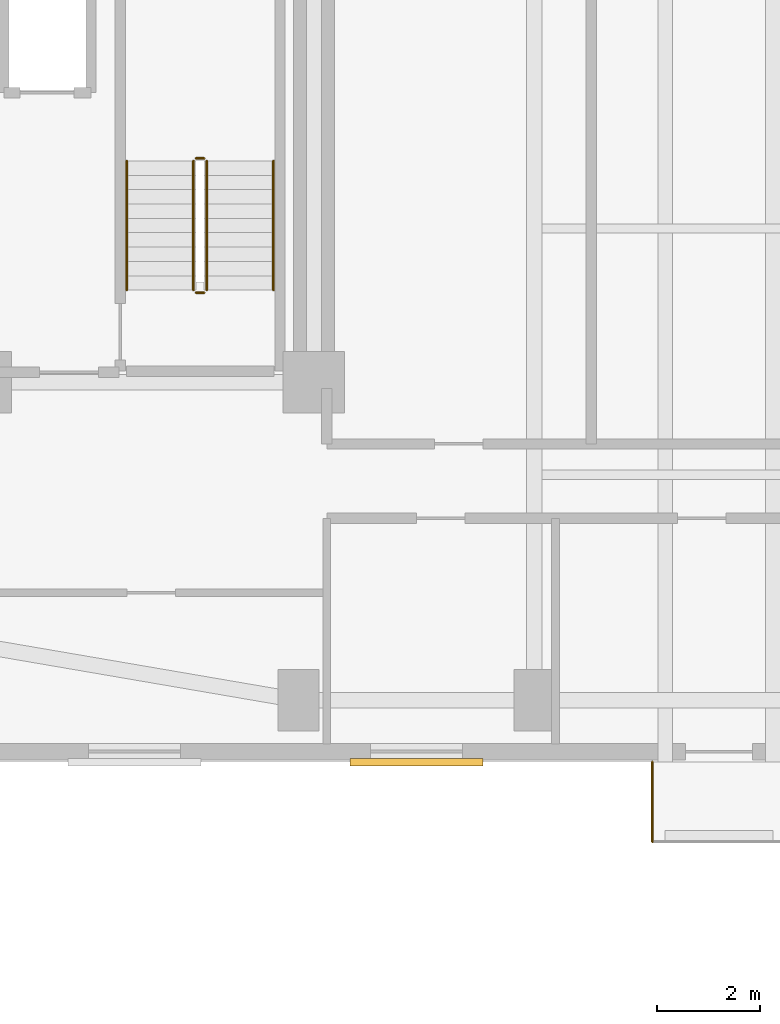
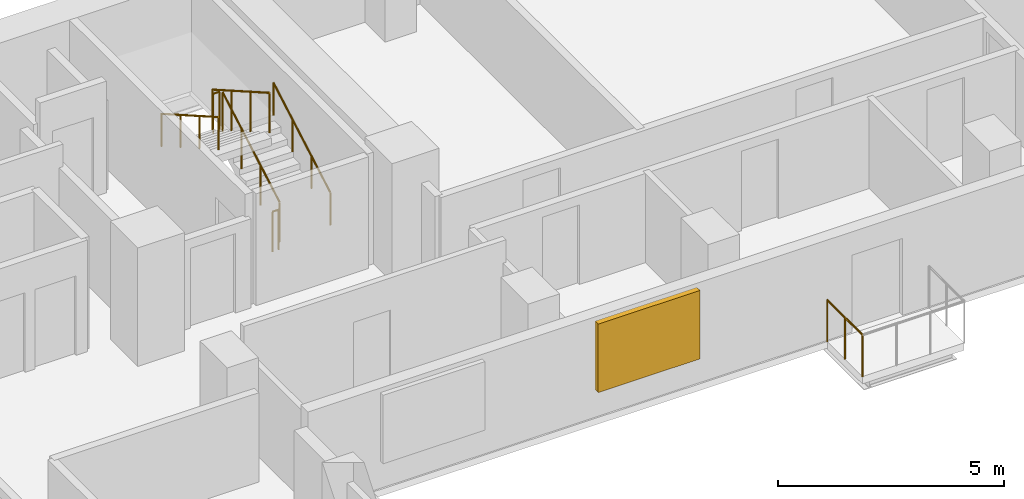
# One storey, part 9 of 11: 7 railings, 1 shading device.
"""IFC4 building model written with IfcOpenShell, lengths in metres."""

from ifc_helpers import new_model, si_unit, direction, frame, origin, origin_2d, place, context, subcontext, project, spatial, rectangle, circle, extrude, material, layer, layer_set, type_object, element, save


model = new_model("IFC4")

# Units and contexts
model_context = context("Model", 3, precision=1e-05, world=origin(), true_north=direction((0.0, 1.0)))
body_context = subcontext(model_context, "Body", "Model", "MODEL_VIEW")
ifc_project = project(units=[si_unit("LENGTHUNIT", "METRE"), si_unit("AREAUNIT", "SQUARE_METRE"), si_unit("VOLUMEUNIT", "CUBIC_METRE"), si_unit("PLANEANGLEUNIT", "RADIAN"), si_unit("MASSUNIT", "GRAM", prefix="KILO")], contexts=[model_context])

# Site, building, storey
site_placement = place(None, origin())
site = spatial("IfcSite", under=ifc_project, at=site_placement, CompositionType="ELEMENT")
building_placement = place(site_placement, origin())
building = spatial("IfcBuilding", under=site, at=building_placement, Name="Kuzgunbayir Cultural Tower", CompositionType="ELEMENT")
storey_placement = place(building_placement, frame((0.0, 0.0, 83.39990234375)))
storey = spatial("IfcBuildingStorey", under=building, at=storey_placement, Name="L23", CompositionType="ELEMENT", Elevation=83.39990234375)

# Railings
ifc_material_1 = material(Name="Laminated Glass and Stainless Steel", Category="steel")
ifc_layer_1 = layer(ifc_material_1, 0.080078125)
ifc_layer_set_1 = layer_set([ifc_layer_1], Name="Laminated Glass and Stainless Steel")
railing_type_1 = type_object("IfcRailingType", Name="RLG-BAL-115", PredefinedType="BALUSTRADE", material=ifc_layer_set_1)
railing_1_placement = place(storey_placement, frame((33.5, 26.39990234375, 0.0)))
element("IfcRailing", 1, at=railing_1_placement, inside=storey, type_object=railing_type_1, Name="L23 Balcony Guard BAL-L23-WB2 Segment 1", PredefinedType="BALUSTRADE", context=body_context, shape_type="SweptSolid", body=[
    extrude(circle(Radius=0.02392578125, at=origin_2d()), frame((0.0, 0.0, 1.1259765625), z_axis=(0.0, -1.0, 0.0), x_axis=(1.0, 0.0, 0.0)), (0.0, 0.0, 1.0), 1.559814453125),
    extrude(circle(Radius=0.02099609375, at=origin_2d()), origin(), (0.0, 0.0, 1.0), 1.101806640625),
    extrude(circle(Radius=0.02099609375, at=origin_2d()), frame((0.0, -0.77978515625, 0.0)), (0.0, 0.0, 1.0), 1.101806640625),
    extrude(circle(Radius=0.02099609375, at=origin_2d()), frame((0.0, -1.559814453125, 0.0)), (0.0, 0.0, 1.0), 1.101806640625),
])
ifc_material_2 = material(Name="Brushed Stainless Steel", Category="steel")
ifc_layer_2 = layer(ifc_material_2, 0.050048828125)
ifc_layer_set_2 = layer_set([ifc_layer_2], Name="Brushed Stainless Steel")
railing_type_2 = type_object("IfcRailingType", Name="RLG-STAIR-HANDRAIL", PredefinedType="HANDRAIL", material=ifc_layer_set_2)
railing_2_placement = place(storey_placement, frame((26.110107421875, 35.60009765625, 0.16015625)))
element("IfcRailing", 2, at=railing_2_placement, inside=storey, type_object=railing_type_2, Name="L23 ST-2 stair handrail 1", PredefinedType="HANDRAIL", context=body_context, shape_type="SweptSolid", body=[
    extrude(circle(Radius=0.02392578125, at=origin_2d()), frame((0.0, 0.0, 0.8759765625), z_axis=(0.0, 0.868253494771, 0.496120820787), x_axis=(-1.0, 0.0, 0.0)), (0.0, 0.0, 1.0), 2.90234375),
    extrude(circle(Radius=0.02099609375, at=origin_2d()), origin(), (0.0, 0.0, 1.0), 0.851806640625),
    extrude(circle(Radius=0.02099609375, at=origin_2d()), frame((0.0, 0.840087890625, 0.47998046875)), (0.0, 0.0, 1.0), 0.851806640625),
    extrude(circle(Radius=0.02099609375, at=origin_2d()), frame((0.0, 1.679931640625, 0.9599609375)), (0.0, 0.0, 1.0), 0.851806640625),
    extrude(circle(Radius=0.02099609375, at=origin_2d()), frame((0.0, 2.52001953125, 1.43994140625)), (0.0, 0.0, 1.0), 0.851806640625),
])
railing_3_placement = place(storey_placement, frame((23.25, 38.1201171875, 1.760009765625)))
element("IfcRailing", 3, at=railing_3_placement, inside=storey, type_object=railing_type_2, Name="L23 ST-2 stair handrail 2", PredefinedType="HANDRAIL", context=body_context, shape_type="SweptSolid", body=[
    extrude(circle(Radius=0.02392578125, at=origin_2d()), frame((0.0, 0.0, 0.8759765625), z_axis=(0.0, -0.868217259934, 0.496184229447), x_axis=(1.0, 0.0, 0.0)), (0.0, 0.0, 1.0), 2.902587890625),
    extrude(circle(Radius=0.02099609375, at=origin_2d()), origin(), (0.0, 0.0, 1.0), 0.851806640625),
    extrude(circle(Radius=0.02099609375, at=origin_2d()), frame((0.0, -0.840087890625, 0.47998046875)), (0.0, 0.0, 1.0), 0.851806640625),
    extrude(circle(Radius=0.02099609375, at=origin_2d()), frame((0.0, -1.679931640625, 0.960205078125)), (0.0, 0.0, 1.0), 0.851806640625),
    extrude(circle(Radius=0.02099609375, at=origin_2d()), frame((0.0, -2.52001953125, 1.440185546875)), (0.0, 0.0, 1.0), 0.851806640625),
])
ifc_material_3 = material(Name="Painted Steel Balustrade", Category="steel")
ifc_layer_3 = layer(ifc_material_3, 0.06005859375)
ifc_layer_set_3 = layer_set([ifc_layer_3], Name="Painted Steel Balustrade")
railing_type_3 = type_object("IfcRailingType", Name="RLG-WELL-GUARD", PredefinedType="GUARDRAIL", material=ifc_layer_set_3)
railing_4_placement = place(storey_placement, frame((24.81005859375, 35.60009765625, 0.16015625)))
element("IfcRailing", 4, at=railing_4_placement, inside=storey, type_object=railing_type_3, Name="L23 ST-2 stair guard 1", PredefinedType="GUARDRAIL", context=body_context, shape_type="SweptSolid", body=[
    extrude(circle(Radius=0.02392578125, at=origin_2d()), frame((0.0, 0.0, 1.076171875), z_axis=(0.0, 0.868253494771, 0.496120820787), x_axis=(-1.0, 0.0, 0.0)), (0.0, 0.0, 1.0), 2.90234375),
    extrude(circle(Radius=0.02099609375, at=origin_2d()), origin(), (0.0, 0.0, 1.0), 1.052001953125),
    extrude(circle(Radius=0.02099609375, at=origin_2d()), frame((0.0, 0.840087890625, 0.47998046875)), (0.0, 0.0, 1.0), 1.052001953125),
    extrude(circle(Radius=0.02099609375, at=origin_2d()), frame((0.0, 1.679931640625, 0.9599609375)), (0.0, 0.0, 1.0), 1.052001953125),
    extrude(circle(Radius=0.02099609375, at=origin_2d()), frame((0.0, 2.52001953125, 1.43994140625)), (0.0, 0.0, 1.0), 1.052001953125),
])
railing_5_placement = place(storey_placement, frame((24.760009765625, 38.169921875, 1.60009765625)))
element("IfcRailing", 5, at=railing_5_placement, inside=storey, type_object=railing_type_3, Name="L23 ST-2 stair guard 2", PredefinedType="GUARDRAIL", context=body_context, shape_type="SweptSolid", body=[
    extrude(circle(Radius=0.02392578125, at=origin_2d()), frame((0.0, 0.0, 1.076171875), z_axis=(-1.0, 0.0, 0.0), x_axis=(0.0, -1.0, 0.0)), (0.0, 0.0, 1.0), 0.159912109375),
    extrude(circle(Radius=0.02099609375, at=origin_2d()), origin(), (0.0, 0.0, 1.0), 1.052001953125),
    extrude(circle(Radius=0.02099609375, at=origin_2d()), frame((-0.159912109375, 0.0, 0.0)), (0.0, 0.0, 1.0), 1.052001953125),
])
railing_6_placement = place(storey_placement, frame((24.550048828125, 38.1201171875, 1.760009765625)))
element("IfcRailing", 6, at=railing_6_placement, inside=storey, type_object=railing_type_3, Name="L23 ST-2 stair guard 3", PredefinedType="GUARDRAIL", context=body_context, shape_type="SweptSolid", body=[
    extrude(circle(Radius=0.02392578125, at=origin_2d()), frame((0.0, 0.0, 1.076171875), z_axis=(0.0, -0.868217259934, 0.496184229447), x_axis=(1.0, 0.0, 0.0)), (0.0, 0.0, 1.0), 2.902587890625),
    extrude(circle(Radius=0.02099609375, at=origin_2d()), origin(), (0.0, 0.0, 1.0), 1.052001953125),
    extrude(circle(Radius=0.02099609375, at=origin_2d()), frame((0.0, -0.840087890625, 0.47998046875)), (0.0, 0.0, 1.0), 1.052001953125),
    extrude(circle(Radius=0.02099609375, at=origin_2d()), frame((0.0, -1.679931640625, 0.960205078125)), (0.0, 0.0, 1.0), 1.052001953125),
    extrude(circle(Radius=0.02099609375, at=origin_2d()), frame((0.0, -2.52001953125, 1.440185546875)), (0.0, 0.0, 1.0), 1.052001953125),
])
railing_7_placement = place(storey_placement, frame((24.760009765625, 35.550048828125, 0.0)))
element("IfcRailing", 7, at=railing_7_placement, inside=storey, type_object=railing_type_3, Name="L23 ST-2 stair guard 4", PredefinedType="GUARDRAIL", context=body_context, shape_type="SweptSolid", body=[
    extrude(circle(Radius=0.02392578125, at=origin_2d()), frame((0.0, 0.0, 1.076171875), z_axis=(-1.0, 0.0, 0.0), x_axis=(0.0, -1.0, 0.0)), (0.0, 0.0, 1.0), 0.159912109375),
    extrude(circle(Radius=0.02099609375, at=origin_2d()), origin(), (0.0, 0.0, 1.0), 1.052001953125),
    extrude(circle(Radius=0.02099609375, at=origin_2d()), frame((-0.159912109375, 0.0, 0.0)), (0.0, 0.0, 1.0), 1.052001953125),
])

# Shading device
ifc_material_4 = material(Name="Perforated Bronze-Anodised Aluminium", Category="aluminium")
shading_device_type = type_object("IfcShadingDeviceType", Name="SHD-SOLAR-BRONZE", PredefinedType="JALOUSIE", material=ifc_material_4)
shading_device_placement = place(storey_placement, frame((28.89990234375, 26.389892578125, 0.735107421875), z_axis=(0.0, 0.0, 1.0), x_axis=(1.0, 0.0, 0.0)))
element("IfcShadingDevice", 8, at=shading_device_placement, inside=storey, type_object=shading_device_type, Name="L23 Solar Screen WBS12", PredefinedType="JALOUSIE", context=body_context, shape_type="SweptSolid", body=[
    extrude(rectangle(XDim=2.60009765625, YDim=0.139892578125, at=origin_2d()), origin(), (0.0, 0.0, 1.0), 1.85009765625),
])

save(model, "model.ifc")
